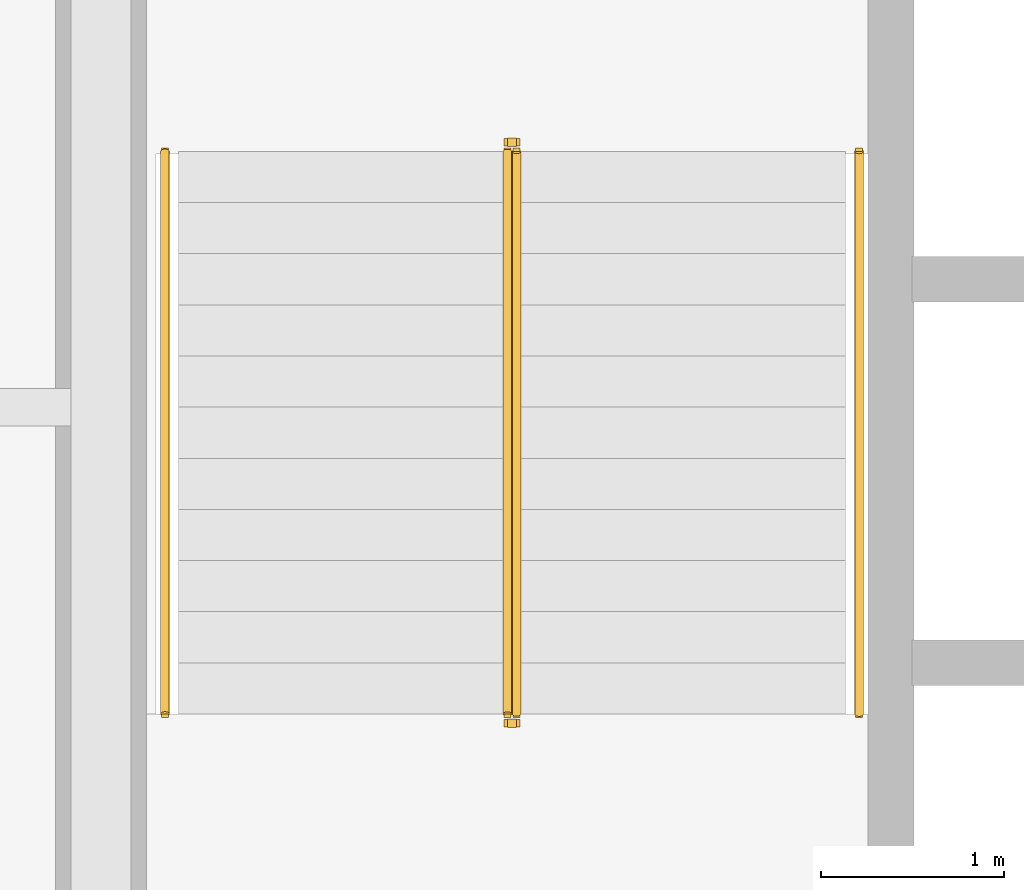
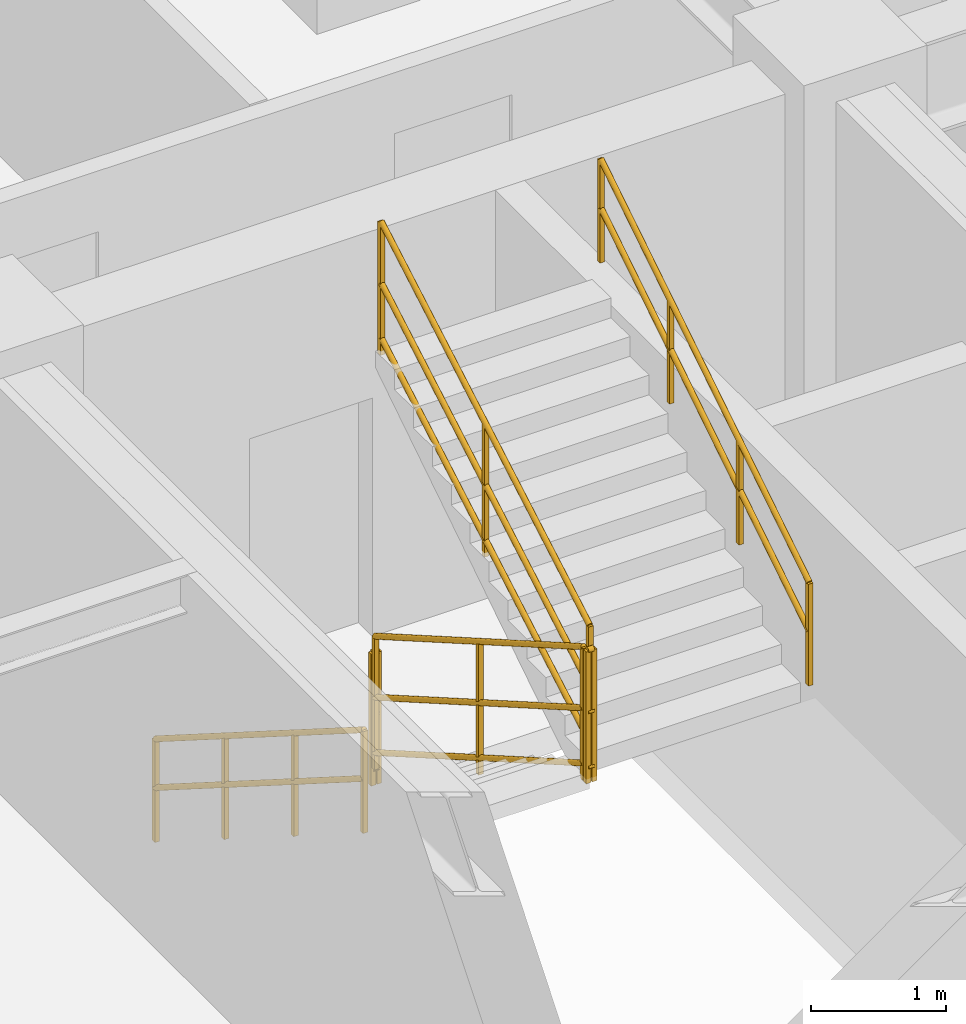
# One storey, part 9 of 9: 6 railings.
"""IFC4 building model written with IfcOpenShell, lengths in metres."""

from ifc_helpers import new_model, entity, si_unit, converted_unit, direction, frame, origin_with_axes, origin_2d_with_axis, place, context, subcontext, project, spatial, rectangle, circle, extrude, material, type_object, element, save


model = new_model("IFC4")

# Units and contexts
model_context = context("Model", 3, precision=1e-05, world=origin_with_axes(), true_north=direction((0.0, 1.0)))
body_context = subcontext(model_context, "Body", "Model", "MODEL_VIEW")
ifc_project = project(units=[si_unit("LENGTHUNIT", "METRE"), si_unit("AREAUNIT", "SQUARE_METRE"), si_unit("VOLUMEUNIT", "CUBIC_METRE"), converted_unit("PLANEANGLEUNIT", "DEGREE", entity("IfcPlaneAngleMeasure", 0.017453292519943295), si_unit("PLANEANGLEUNIT", "RADIAN"), dimensions=[0, 0, 0, 0, 0, 0, 0]), si_unit("MASSUNIT", "GRAM", prefix="KILO"), si_unit("THERMODYNAMICTEMPERATUREUNIT", "KELVIN")], contexts=[model_context])

# Site, building, storey
site_placement = place(None, origin_with_axes())
site = spatial("IfcSite", under=ifc_project, at=site_placement, CompositionType="ELEMENT")
building_placement = place(site_placement, origin_with_axes())
building = spatial("IfcBuilding", under=site, at=building_placement, Name="Varnlund Millrace Tower", CompositionType="ELEMENT")
storey_placement = place(building_placement, frame((0.0, 0.0, 140.7), z_axis=(0.0, 0.0, 1.0), x_axis=(1.0, 0.0, 0.0)))
storey = spatial("IfcBuildingStorey", under=building, at=storey_placement, Name="L34", CompositionType="ELEMENT", Elevation=140.7)

# Railings
ifc_material_1 = material(Name="Painted steel stair well balustrade guard", Category="steel")
railing_type_1 = type_object("IfcRailingType", Name="Type-StairGuard-1150", PredefinedType="GUARDRAIL", material=ifc_material_1)
railing_1_placement = place(storey_placement, frame((0.0, 0.0, -140.7), z_axis=(0.0, 0.0, 1.0), x_axis=(1.0, 0.0, 0.0)))
element("IfcRailing", 1, at=railing_1_placement, inside=storey, type_object=railing_type_1, Name="Type-StairGuard-1150", PredefinedType="GUARDRAIL", context=body_context, shape_type="SweptSolid", body=[
    extrude(circle(Radius=0.024, at=origin_2d_with_axis()), frame((13.625, 35.9, 142.027273), z_axis=(0.0, -0.866696, 0.498836), x_axis=(1.0, 0.0, 0.0)), (0.0, 0.0, 1.0), 3.553725),
    extrude(circle(Radius=0.024, at=origin_2d_with_axis()), frame((13.625, 35.9, 140.977273), z_axis=(0.0, -0.866696, 0.498836), x_axis=(1.0, 0.0, 0.0)), (0.0, 0.0, 1.0), 3.553725),
    extrude(circle(Radius=0.024, at=origin_2d_with_axis()), frame((13.625, 35.9, 141.475273), z_axis=(0.0, -0.866696, 0.498836), x_axis=(1.0, 0.0, 0.0)), (0.0, 0.0, 1.0), 3.553725),
    extrude(rectangle(XDim=0.04, YDim=0.04, at=origin_2d_with_axis()), frame((13.625, 35.9, 140.837273), z_axis=(0.0, 0.0, 1.0), x_axis=(1.0, 0.0, 0.0)), (0.0, 0.0, 1.0), 1.19),
    extrude(rectangle(XDim=0.04, YDim=0.04, at=origin_2d_with_axis()), frame((13.625, 34.36, 141.723637), z_axis=(0.0, 0.0, 1.0), x_axis=(1.0, 0.0, 0.0)), (0.0, 0.0, 1.0), 1.19),
    extrude(rectangle(XDim=0.04, YDim=0.04, at=origin_2d_with_axis()), frame((13.625, 32.82, 142.61), z_axis=(0.0, 0.0, 1.0), x_axis=(1.0, 0.0, 0.0)), (0.0, 0.0, 1.0), 1.19),
])
railing_2_placement = place(storey_placement, frame((0.0, 0.0, -140.7), z_axis=(0.0, 0.0, 1.0), x_axis=(1.0, 0.0, 0.0)))
element("IfcRailing", 2, at=railing_2_placement, inside=storey, type_object=railing_type_1, Name="Type-StairGuard-1150", PredefinedType="GUARDRAIL", context=body_context, shape_type="SweptSolid", body=[
    extrude(circle(Radius=0.024, at=origin_2d_with_axis()), frame((13.675, 32.77, 143.8), z_axis=(-1.0, 0.0, 0.0), x_axis=(0.0, -1.0, 0.0)), (0.0, 0.0, 1.0), 0.05),
    extrude(circle(Radius=0.024, at=origin_2d_with_axis()), frame((13.675, 32.77, 142.75), z_axis=(-1.0, 0.0, 0.0), x_axis=(0.0, -1.0, 0.0)), (0.0, 0.0, 1.0), 0.05),
    extrude(circle(Radius=0.024, at=origin_2d_with_axis()), frame((13.675, 32.77, 143.248), z_axis=(-1.0, 0.0, 0.0), x_axis=(0.0, -1.0, 0.0)), (0.0, 0.0, 1.0), 0.05),
    extrude(rectangle(XDim=0.04, YDim=0.04, at=origin_2d_with_axis()), frame((13.675, 32.77, 142.61), z_axis=(0.0, 0.0, 1.0), x_axis=(1.0, 0.0, 0.0)), (0.0, 0.0, 1.0), 1.19),
    extrude(rectangle(XDim=0.04, YDim=0.04, at=origin_2d_with_axis()), frame((13.625, 32.77, 142.61), z_axis=(0.0, 0.0, 1.0), x_axis=(1.0, 0.0, 0.0)), (0.0, 0.0, 1.0), 1.19),
])
railing_3_placement = place(storey_placement, frame((0.0, 0.0, -140.7), z_axis=(0.0, 0.0, 1.0), x_axis=(1.0, 0.0, 0.0)))
element("IfcRailing", 3, at=railing_3_placement, inside=storey, type_object=railing_type_1, Name="Type-StairGuard-1150", PredefinedType="GUARDRAIL", context=body_context, shape_type="SweptSolid", body=[
    extrude(circle(Radius=0.024, at=origin_2d_with_axis()), frame((13.675, 32.82, 143.977273), z_axis=(0.0, 0.866696, 0.498836), x_axis=(-1.0, 0.0, 0.0)), (0.0, 0.0, 1.0), 3.553725),
    extrude(circle(Radius=0.024, at=origin_2d_with_axis()), frame((13.675, 32.82, 142.927273), z_axis=(0.0, 0.866696, 0.498836), x_axis=(-1.0, 0.0, 0.0)), (0.0, 0.0, 1.0), 3.553725),
    extrude(circle(Radius=0.024, at=origin_2d_with_axis()), frame((13.675, 32.82, 143.425273), z_axis=(0.0, 0.866696, 0.498836), x_axis=(-1.0, 0.0, 0.0)), (0.0, 0.0, 1.0), 3.553725),
    extrude(rectangle(XDim=0.04, YDim=0.04, at=origin_2d_with_axis()), frame((13.675, 32.82, 142.787273), z_axis=(0.0, 0.0, 1.0), x_axis=(1.0, 0.0, 0.0)), (0.0, 0.0, 1.0), 1.19),
    extrude(rectangle(XDim=0.04, YDim=0.04, at=origin_2d_with_axis()), frame((13.675, 34.36, 143.673637), z_axis=(0.0, 0.0, 1.0), x_axis=(1.0, 0.0, 0.0)), (0.0, 0.0, 1.0), 1.19),
    extrude(rectangle(XDim=0.04, YDim=0.04, at=origin_2d_with_axis()), frame((13.675, 35.9, 144.56), z_axis=(0.0, 0.0, 1.0), x_axis=(1.0, 0.0, 0.0)), (0.0, 0.0, 1.0), 1.19),
])
railing_4_placement = place(storey_placement, frame((0.0, 0.0, -140.7), z_axis=(0.0, 0.0, 1.0), x_axis=(1.0, 0.0, 0.0)))
element("IfcRailing", 4, at=railing_4_placement, inside=storey, type_object=railing_type_1, Name="Type-StairGuard-1150", PredefinedType="GUARDRAIL", context=body_context, shape_type="SweptSolid", body=[
    extrude(circle(Radius=0.024, at=origin_2d_with_axis()), frame((13.675, 35.95, 141.85), z_axis=(-1.0, 0.0, 0.0), x_axis=(0.0, -1.0, 0.0)), (0.0, 0.0, 1.0), 0.05),
    extrude(circle(Radius=0.024, at=origin_2d_with_axis()), frame((13.675, 35.95, 140.8), z_axis=(-1.0, 0.0, 0.0), x_axis=(0.0, -1.0, 0.0)), (0.0, 0.0, 1.0), 0.05),
    extrude(circle(Radius=0.024, at=origin_2d_with_axis()), frame((13.675, 35.95, 141.298), z_axis=(-1.0, 0.0, 0.0), x_axis=(0.0, -1.0, 0.0)), (0.0, 0.0, 1.0), 0.05),
    extrude(rectangle(XDim=0.04, YDim=0.04, at=origin_2d_with_axis()), frame((13.675, 35.95, 140.66), z_axis=(0.0, 0.0, 1.0), x_axis=(1.0, 0.0, 0.0)), (0.0, 0.0, 1.0), 1.19),
    extrude(rectangle(XDim=0.04, YDim=0.04, at=origin_2d_with_axis()), frame((13.625, 35.95, 140.66), z_axis=(0.0, 0.0, 1.0), x_axis=(1.0, 0.0, 0.0)), (0.0, 0.0, 1.0), 1.19),
])
ifc_material_2 = material(Name="Brushed architectural bronze stair handrail", Category="aluminium")
railing_type_2 = type_object("IfcRailingType", Name="Type-StairHandrail-900", PredefinedType="HANDRAIL", material=ifc_material_2)
railing_5_placement = place(storey_placement, frame((0.0, 0.0, -140.7), z_axis=(0.0, 0.0, 1.0), x_axis=(1.0, 0.0, 0.0)))
element("IfcRailing", 5, at=railing_5_placement, inside=storey, type_object=railing_type_2, Name="Type-StairHandrail-900", PredefinedType="HANDRAIL", context=body_context, shape_type="SweptSolid", body=[
    extrude(circle(Radius=0.024, at=origin_2d_with_axis()), frame((11.75, 35.9, 141.756995), z_axis=(0.0, -0.844902, 0.534922), x_axis=(1.0, 0.0, 0.0)), (0.0, 0.0, 1.0), 3.645394),
    extrude(circle(Radius=0.024, at=origin_2d_with_axis()), frame((11.75, 35.9, 141.317134), z_axis=(0.0, -0.844902, 0.534922), x_axis=(1.0, 0.0, 0.0)), (0.0, 0.0, 1.0), 3.645394),
    extrude(rectangle(XDim=0.04, YDim=0.04, at=origin_2d_with_axis()), frame((11.75, 35.9, 140.837273), z_axis=(0.0, 0.0, 1.0), x_axis=(1.0, 0.0, 0.0)), (0.0, 0.0, 1.0), 0.919722),
    extrude(rectangle(XDim=0.04, YDim=0.04, at=origin_2d_with_axis()), frame((11.75, 34.873333, 141.487273), z_axis=(0.0, 0.0, 1.0), x_axis=(1.0, 0.0, 0.0)), (0.0, 0.0, 1.0), 0.919722),
    extrude(rectangle(XDim=0.04, YDim=0.04, at=origin_2d_with_axis()), frame((11.75, 33.846667, 142.137273), z_axis=(0.0, 0.0, 1.0), x_axis=(1.0, 0.0, 0.0)), (0.0, 0.0, 1.0), 0.919722),
    extrude(rectangle(XDim=0.04, YDim=0.04, at=origin_2d_with_axis()), frame((11.75, 32.82, 142.787273), z_axis=(0.0, 0.0, 1.0), x_axis=(1.0, 0.0, 0.0)), (0.0, 0.0, 1.0), 0.919722),
])
railing_6_placement = place(storey_placement, frame((0.0, 0.0, -140.7), z_axis=(0.0, 0.0, 1.0), x_axis=(1.0, 0.0, 0.0)))
element("IfcRailing", 6, at=railing_6_placement, inside=storey, type_object=railing_type_2, Name="Type-StairHandrail-900", PredefinedType="HANDRAIL", context=body_context, shape_type="SweptSolid", body=[
    extrude(circle(Radius=0.024, at=origin_2d_with_axis()), frame((15.55, 32.82, 143.706995), z_axis=(0.0, 0.844902, 0.534922), x_axis=(-1.0, 0.0, 0.0)), (0.0, 0.0, 1.0), 3.645394),
    extrude(circle(Radius=0.024, at=origin_2d_with_axis()), frame((15.55, 32.82, 143.267134), z_axis=(0.0, 0.844902, 0.534922), x_axis=(-1.0, 0.0, 0.0)), (0.0, 0.0, 1.0), 3.645394),
    extrude(rectangle(XDim=0.04, YDim=0.04, at=origin_2d_with_axis()), frame((15.55, 32.82, 142.787273), z_axis=(0.0, 0.0, 1.0), x_axis=(1.0, 0.0, 0.0)), (0.0, 0.0, 1.0), 0.919722),
    extrude(rectangle(XDim=0.04, YDim=0.04, at=origin_2d_with_axis()), frame((15.55, 33.846667, 143.437273), z_axis=(0.0, 0.0, 1.0), x_axis=(1.0, 0.0, 0.0)), (0.0, 0.0, 1.0), 0.919722),
    extrude(rectangle(XDim=0.04, YDim=0.04, at=origin_2d_with_axis()), frame((15.55, 34.873333, 144.087273), z_axis=(0.0, 0.0, 1.0), x_axis=(1.0, 0.0, 0.0)), (0.0, 0.0, 1.0), 0.919722),
    extrude(rectangle(XDim=0.04, YDim=0.04, at=origin_2d_with_axis()), frame((15.55, 35.9, 144.737273), z_axis=(0.0, 0.0, 1.0), x_axis=(1.0, 0.0, 0.0)), (0.0, 0.0, 1.0), 0.919722),
])

save(model, "model.ifc")
